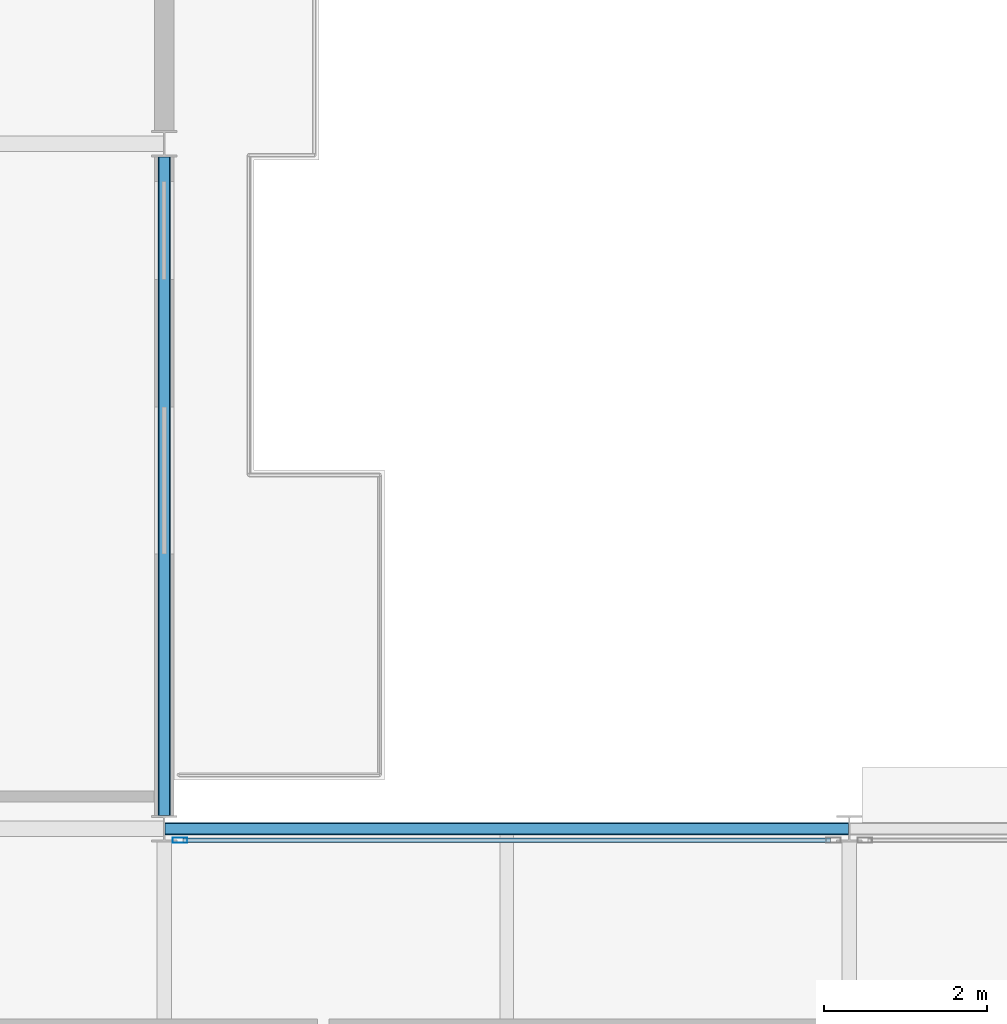
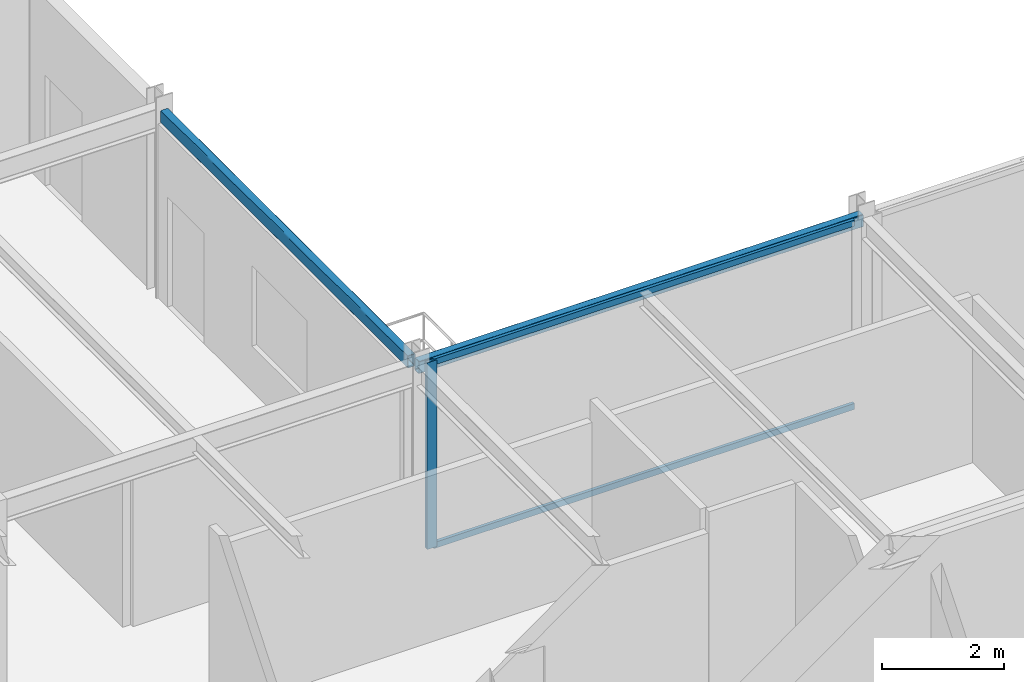
# One storey, part 13 of 27: 3 members, 2 beams, 1 element without a shape of its own.
"""IFC4 building model written with IfcOpenShell, lengths in metres."""

import ifcopenshell
import ifcopenshell.guid

model = None  # the IFC model being written
_history = None  # IfcOwnerHistory: only IFC2X3 demands one
_inside = {}  # id of a spatial element -> (the spatial element, [elements in it])
_under = {}  # id of a project, library or spatial element -> (it, [spatial elements below it])
_declared = {}  # id of a project -> (the project, [libraries it declares])
_typed = {}  # id of a type object -> (the type object, [elements of that type])
_made_of = {}  # id of a material, layer set ... -> (it, [elements and type objects made of it])


def new_model(schema):
    """Start an empty IFC model of exactly this schema.

    Asked for "IFC4X3", IfcOpenShell would pick the latest addendum, in which some entities
    have other attributes; the version numbers below select the first issue.
    IFC2X3 requires an IfcOwnerHistory on every rooted entity: one is made here for all.
    """
    global model, _history
    if schema == "IFC4X3":
        model = ifcopenshell.file(schema_version=(4, 3, 0, 0))
    else:
        model = ifcopenshell.file(schema=schema)
    _inside.clear()
    _under.clear()
    _declared.clear()
    _typed.clear()
    _made_of.clear()
    _history = None
    if model.schema == "IFC2X3":
        org = make("IfcOrganization", Name="unknown")
        user = make(
            "IfcPersonAndOrganization",
            ThePerson=make("IfcPerson", FamilyName="unknown"),
            TheOrganization=org,
        )
        app = make(
            "IfcApplication",
            ApplicationDeveloper=org,
            Version="unknown",
            ApplicationFullName="unknown",
            ApplicationIdentifier="unknown",
        )
        _history = make(
            "IfcOwnerHistory",
            OwningUser=user,
            OwningApplication=app,
            ChangeAction="ADDED",
            CreationDate=0,
        )
    return model


def make(cls, **values):
    """One entity of the class cls with the attributes given. An attribute that is None is left unset."""
    return model.create_entity(
        cls, **{name: value for name, value in values.items() if value is not None}
    )


def rooted(cls, **values):
    """An entity with a GlobalId (a new one), such as an element, a storey or a relation."""
    return make(cls, GlobalId=ifcopenshell.guid.new(), OwnerHistory=_history, **values)


def si_unit(unit_type, name, prefix=None):
    """IfcSIUnit, for example si_unit("LENGTHUNIT", "METRE", prefix="MILLI")."""
    return make("IfcSIUnit", UnitType=unit_type, Prefix=prefix, Name=name)


def assignment(units):
    """IfcUnitAssignment: the units of a project."""
    return None if units is None else make("IfcUnitAssignment", Units=units)


def point(xyz):
    """IfcCartesianPoint."""
    return None if xyz is None else make("IfcCartesianPoint", Coordinates=xyz)


def direction(xyz):
    """IfcDirection."""
    return None if xyz is None else make("IfcDirection", DirectionRatios=xyz)


def frame(location, z_axis=None, x_axis=None):
    """IfcAxis2Placement3D, a coordinate frame: its origin and axes. An axis left out is left unset."""
    return make(
        "IfcAxis2Placement3D",
        Location=point(location),
        Axis=direction(z_axis),
        RefDirection=direction(x_axis),
    )


def frame_2d(location, x_axis=None):
    """IfcAxis2Placement2D, a coordinate frame in the plane: its origin and x axis."""
    return make(
        "IfcAxis2Placement2D", Location=point(location), RefDirection=direction(x_axis)
    )


def origin():
    """The frame at (0, 0, 0) with its axes left unset."""
    return frame((0.0, 0.0, 0.0))


def origin_2d():
    """The frame at (0, 0) in the plane with its x axis left unset."""
    return frame_2d((0.0, 0.0))


def place(relative_to, where):
    """IfcLocalPlacement: puts the frame where relative to a parent placement (None: the world)."""
    return make(
        "IfcLocalPlacement", PlacementRelTo=relative_to, RelativePlacement=where
    )


def context(
    kind, dimensions, precision=None, world=None, true_north=None, identifier=None
):
    """IfcGeometricRepresentationContext, for example the 3D "Model" context."""
    return make(
        "IfcGeometricRepresentationContext",
        ContextIdentifier=identifier,
        ContextType=kind,
        CoordinateSpaceDimension=dimensions,
        Precision=precision,
        WorldCoordinateSystem=world,
        TrueNorth=true_north,
    )


def subcontext(parent, identifier, kind, view, scale=None):
    """IfcGeometricRepresentationSubContext, for example "Body" below "Model"."""
    return make(
        "IfcGeometricRepresentationSubContext",
        ContextIdentifier=identifier,
        ContextType=kind,
        ParentContext=parent,
        TargetScale=scale,
        TargetView=view,
    )


def project(units=None, contexts=None):
    """IfcProject with its units and contexts."""
    return rooted(
        "IfcProject",
        Name="project",
        RepresentationContexts=contexts,
        UnitsInContext=assignment(units),
    )


def spatial(cls, under=None, at=None, **own):
    """A site, building, storey or space (cls), placed at a placement, below another one or the project."""
    s = rooted(cls, ObjectPlacement=at, **own)
    if under is not None:
        _under.setdefault(under.id(), (under, []))[1].append(s)
    return s


def profile(cls, at=None, kind="AREA", **sizes):
    """A parametric profile (cls). Its sizes go by their IFC names, for example OverallWidth=200.0."""
    return make(cls, ProfileType=kind, Position=at, **sizes)


def hollow_rectangle(**sizes):
    """IfcRectangleHollowProfileDef."""
    return profile("IfcRectangleHollowProfileDef", **sizes)


def extrude(swept, where, along, depth):
    """IfcExtrudedAreaSolid: the profile swept, set in the frame where, extruded along a direction by depth."""
    return make(
        "IfcExtrudedAreaSolid",
        SweptArea=swept,
        Position=where,
        ExtrudedDirection=direction(along),
        Depth=depth,
    )


def shape(context_of_items, identifier, shape_type, items):
    """IfcShapeRepresentation: the items that make up one representation, for example the "Body"."""
    return make(
        "IfcShapeRepresentation",
        ContextOfItems=context_of_items,
        RepresentationIdentifier=identifier,
        RepresentationType=shape_type,
        Items=items,
    )


def material(Name=None, Category=None):
    """IfcMaterial."""
    return make("IfcMaterial", Name=Name, Category=Category)


def layer(
    of_material, thickness, ventilated=None, Name=None, Category=None, Priority=None
):
    """IfcMaterialLayer: one layer of a wall or slab, of a material (None: an air gap)."""
    return make(
        "IfcMaterialLayer",
        Material=of_material,
        LayerThickness=thickness,
        IsVentilated=ventilated,
        Name=Name,
        Category=Category,
        Priority=Priority,
    )


def layer_set(layers, Name=None):
    """IfcMaterialLayerSet."""
    return make("IfcMaterialLayerSet", MaterialLayers=layers, LayerSetName=Name)


def material_profile(
    of_material, cross_section, Name=None, Category=None, Priority=None
):
    """IfcMaterialProfile: a cross section and its material."""
    return make(
        "IfcMaterialProfile",
        Name=Name,
        Material=of_material,
        Profile=cross_section,
        Priority=Priority,
        Category=Category,
    )


def profile_set(profiles, Name=None, composite=None):
    """IfcMaterialProfileSet."""
    return make(
        "IfcMaterialProfileSet",
        Name=Name,
        MaterialProfiles=profiles,
        CompositeProfile=composite,
    )


def made_of(thing, what):
    """Note that an element or type object is made of a material, layer set ...; save() writes the relation."""
    if what is not None:
        _made_of.setdefault(what.id(), (what, []))[1].append(thing)
    return thing


def type_object(cls, material=None, **own):
    """A type object (cls), such as IfcWallType, which elements share."""
    return made_of(rooted(cls, **own), material)


def element(
    cls,
    number,
    at=None,
    inside=None,
    cuts=None,
    type_object=None,
    material=None,
    context=None,
    identifier="Body",
    shape_type=None,
    held_by="IfcProductDefinitionShape",
    body=None,
    shapes=None,
    **own,
):
    """One element of the class cls, such as IfcWall. Its Tag is "e" and its number.

    at: its placement. inside: the storey or other place that contains it. cuts: it is an
    opening in that element (IfcRelVoidsElement). A single representation is given by context,
    identifier, shape_type and body (its items); several are given by shapes. held_by: the class
    of the entity that holds the representations. save() writes the other relations.
    """
    e = rooted(cls, Tag="e%d" % number, ObjectPlacement=at, **own)
    if body is not None:
        shapes = [shape(context, identifier, shape_type, body)]
    if shapes is not None:
        e.Representation = make(held_by, Representations=shapes)
    if inside is not None:
        _inside.setdefault(inside.id(), (inside, []))[1].append(e)
    if cuts is not None:
        rooted(
            "IfcRelVoidsElement", RelatingBuildingElement=cuts, RelatedOpeningElement=e
        )
    if type_object is not None:
        _typed.setdefault(type_object.id(), (type_object, []))[1].append(e)
    return made_of(e, material)


def aggregate(whole, parts):
    """IfcRelAggregates: a whole, such as a stair, and the parts it consists of."""
    return rooted("IfcRelAggregates", RelatingObject=whole, RelatedObjects=parts)


def save(model, path):
    """Write the relations noted so far, then the file.

    IfcRelAggregates (storeys below a building ...), IfcRelContainedInSpatialStructure (elements
    in a storey), IfcRelDefinesByType, IfcRelAssociatesMaterial and IfcRelDeclares: one each for
    every whole, place, type object, material and project.
    """
    for whole, parts in _under.values():
        aggregate(whole, parts)
    for where, things in _inside.values():
        rooted(
            "IfcRelContainedInSpatialStructure",
            RelatedElements=things,
            RelatingStructure=where,
        )
    for kind, things in _typed.values():
        rooted("IfcRelDefinesByType", RelatedObjects=things, RelatingType=kind)
    for what, things in _made_of.values():
        rooted("IfcRelAssociatesMaterial", RelatedObjects=things, RelatingMaterial=what)
    for by, libraries in _declared.values():
        rooted("IfcRelDeclares", RelatingContext=by, RelatedDefinitions=libraries)
    model.write(path)


model = new_model("IFC4")

# Units and contexts
model_context = context("Model", 3, precision=1e-05, world=origin(), true_north=direction((0.0, 1.0)))
body_context = subcontext(model_context, "Body", "Model", "MODEL_VIEW")
ifc_project = project(units=[si_unit("LENGTHUNIT", "METRE"), si_unit("AREAUNIT", "SQUARE_METRE"), si_unit("VOLUMEUNIT", "CUBIC_METRE"), si_unit("PLANEANGLEUNIT", "RADIAN"), si_unit("MASSUNIT", "GRAM", prefix="KILO")], contexts=[model_context])

# Site, building, storey
site_placement = place(None, origin())
site = spatial("IfcSite", under=ifc_project, at=site_placement, CompositionType="ELEMENT")
building_placement = place(site_placement, origin())
building = spatial("IfcBuilding", under=site, at=building_placement, Name="Nerrivon Quay Data Exchange", CompositionType="ELEMENT")
storey_placement = place(building_placement, frame((0.0, 0.0, 266.199951171875)))
storey = spatial("IfcBuildingStorey", under=building, at=storey_placement, Name="L63", CompositionType="ELEMENT", Elevation=266.199951171875)

# Beams
ifc_material_1 = material(Name="Steel Grade C350L0 (350 MPa)", Category="steel")
ifc_material_profile_1 = material_profile(ifc_material_1, hollow_rectangle(XDim=0.14990234375, YDim=0.25, WallThickness=0.009033203125, InnerFilletRadius=0.013427734375, OuterFilletRadius=0.0224609375, at=origin_2d()), Name="250x150x9.0RHS")
ifc_profile_set_1 = profile_set([ifc_material_profile_1], Name="Steel Grade C350L0 (350 MPa)")
beam_type = type_object("IfcBeamType", Name="BM-SP4-250x150RHS", PredefinedType="SPANDREL", material=ifc_profile_set_1)
beam_1_placement = place(storey_placement, frame((25.2080078125, 25.199951171875, 3.60009765625), z_axis=(1.0, 0.0, 0.0), x_axis=(0.0, 1.0, 0.0)))
element("IfcBeam", 1, at=beam_1_placement, inside=storey, type_object=beam_type, Name="L63 EW Girder Y=25.2 (25.2..33.6)", PredefinedType="SPANDREL", context=body_context, shape_type="SweptSolid", body=[
    extrude(hollow_rectangle(XDim=0.14990234375, YDim=0.25, WallThickness=0.009033203125, InnerFilletRadius=0.013427734375, OuterFilletRadius=0.0224609375, at=origin_2d()), origin(), (0.0, 0.0, 1.0), 8.38427734375),
])
beam_2_placement = place(storey_placement, frame((25.199951171875, 25.363525390625, 3.60009765625), z_axis=(0.0, 1.0, 0.0), x_axis=(-1.0, 0.0, 0.0)))
element("IfcBeam", 2, at=beam_2_placement, inside=storey, type_object=beam_type, Name="L63 NS Girder X=25.2 (25.2..33.6)", PredefinedType="SPANDREL", context=body_context, shape_type="SweptSolid", body=[
    extrude(hollow_rectangle(XDim=0.14990234375, YDim=0.25, WallThickness=0.009033203125, InnerFilletRadius=0.013427734375, OuterFilletRadius=0.0224609375, at=origin_2d()), origin(), (0.0, 0.0, 1.0), 8.072998046875),
])

# Curtain wall, members
ifc_material_2 = material(Name="Anodised aluminium 6063-T6", Category="aluminium")
ifc_layer = layer(ifc_material_2, 0.195068359375)
ifc_layer_set = layer_set([ifc_layer], Name="Anodised aluminium 6063-T6")
curtain_wall_type = type_object("IfcCurtainWallType", Name="CW-SYS-06", PredefinedType="NOTDEFINED", material=ifc_layer_set)
curtain_wall_placement = place(storey_placement, origin())
curtain_wall = element("IfcCurtainWall", 3, at=curtain_wall_placement, inside=storey, type_object=curtain_wall_type, Name="L63 Unitised Curtain Wall 24", PredefinedType="NOTDEFINED")
ifc_material_profile_2 = material_profile(ifc_material_2, hollow_rectangle(XDim=0.06494140625, YDim=0.179931640625, WallThickness=0.00341796875, at=origin_2d()), Name="ALU-MULL-180x65")
ifc_profile_set_2 = profile_set([ifc_material_profile_2], Name="Anodised aluminium 6063-T6")
member_type_1 = type_object("IfcMemberType", Name="CWM-180x65", PredefinedType="MULLION", material=ifc_profile_set_2)
member_1_placement = place(storey_placement, frame((25.39306640625, 25.06005859375, 0.0), z_axis=(0.0, 0.0, 1.0), x_axis=(0.0, 1.0, 0.0)))
member_1 = element("IfcMember", 4, at=member_1_placement, type_object=member_type_1, Name="CW06 mullion 1", PredefinedType="MULLION", context=body_context, shape_type="SweptSolid", body=[
    extrude(hollow_rectangle(XDim=0.06494140625, YDim=0.179931640625, WallThickness=0.00341796875, at=origin_2d()), origin(), (0.0, 0.0, 1.0), 3.72509765625),
])
ifc_material_profile_3 = material_profile(ifc_material_2, hollow_rectangle(XDim=0.06005859375, YDim=0.1201171875, WallThickness=0.003173828125, at=origin_2d()), Name="ALU-TRAN-120x60")
ifc_profile_set_3 = profile_set([ifc_material_profile_3], Name="Anodised aluminium 6063-T6")
member_type_2 = type_object("IfcMemberType", Name="CWT-120x60", PredefinedType="USERDEFINED", material=ifc_profile_set_3)
member_2_placement = place(storey_placement, frame((25.430419921875, 25.06005859375, 0.032470703125), z_axis=(1.0, 0.0, 0.0), x_axis=(0.0, 1.0, 0.0)))
member_2 = element("IfcMember", 5, at=member_2_placement, type_object=member_type_2, Name="CW06 transom 1.1", ObjectType="TRANSOM", PredefinedType="USERDEFINED", context=body_context, shape_type="SweptSolid", body=[
    extrude(hollow_rectangle(XDim=0.06005859375, YDim=0.1201171875, WallThickness=0.003173828125, at=origin_2d()), origin(), (0.0, 0.0, 1.0), 7.93896484375),
])
member_3_placement = place(storey_placement, frame((25.430419921875, 25.06005859375, 3.692626953125), z_axis=(1.0, 0.0, 0.0), x_axis=(0.0, 1.0, 0.0)))
member_3 = element("IfcMember", 6, at=member_3_placement, type_object=member_type_2, Name="CW06 transom 1.2", ObjectType="TRANSOM", PredefinedType="USERDEFINED", context=body_context, shape_type="SweptSolid", body=[
    extrude(hollow_rectangle(XDim=0.06005859375, YDim=0.1201171875, WallThickness=0.003173828125, at=origin_2d()), origin(), (0.0, 0.0, 1.0), 7.93896484375),
])
aggregate(curtain_wall, [member_1, member_2, member_3])

save(model, "model.ifc")
